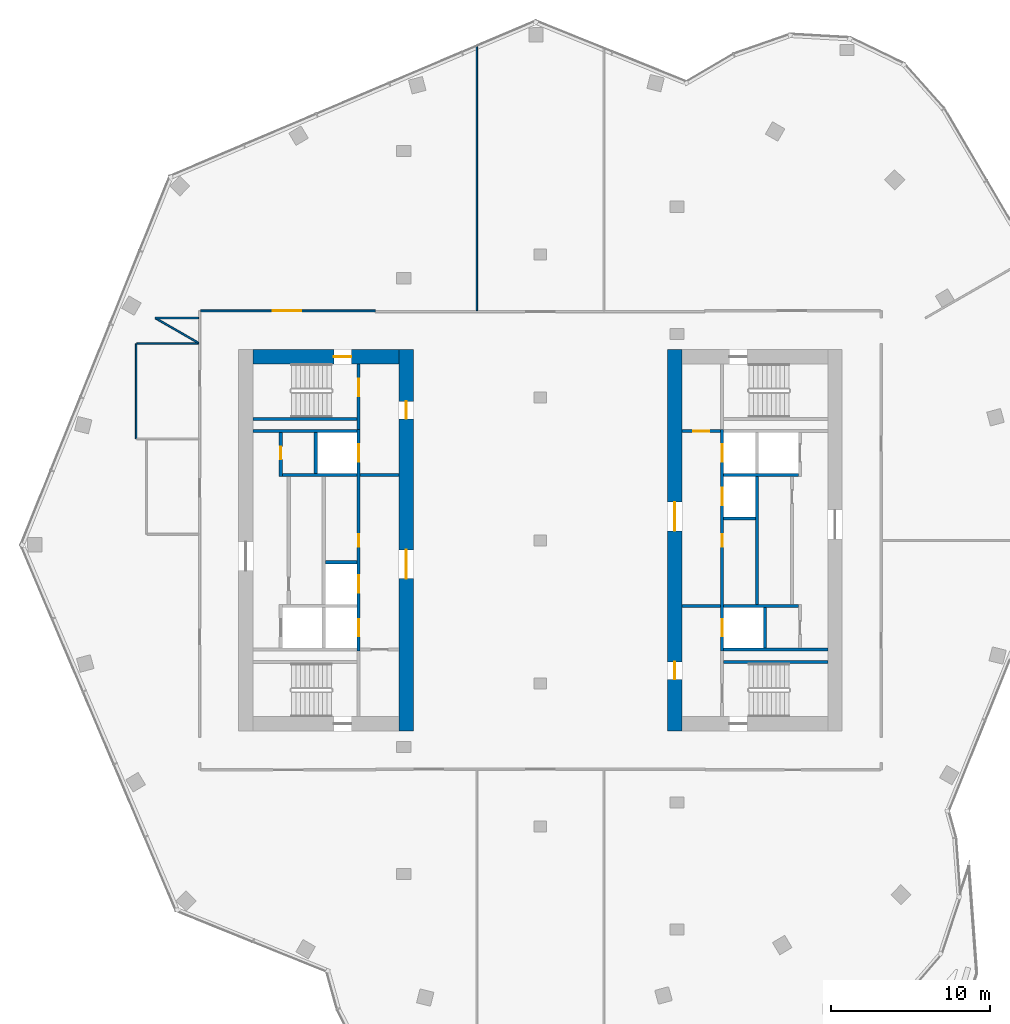
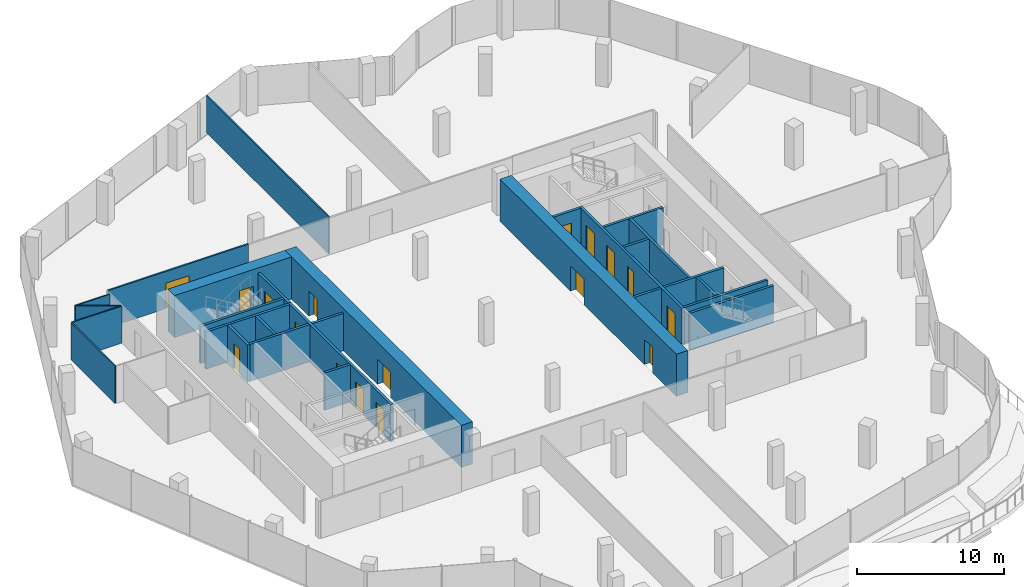
# One storey, part 13 of 16: 28 walls, 17 doors, 17 openings.
"""IFC4 building model written with IfcOpenShell, lengths in metres."""

from ifc_helpers import new_model, si_unit, direction, frame, frame_2d, origin, place, context, subcontext, project, spatial, rectangle, extrude, material, layer, layer_set, type_object, element, fill, save


model = new_model("IFC4")

# Units and contexts
model_context = context("Model", 3, precision=1e-05, world=origin(), true_north=direction((0.0, 1.0)))
body_context = subcontext(model_context, "Body", "Model", "MODEL_VIEW")
ifc_project = project(units=[si_unit("LENGTHUNIT", "METRE"), si_unit("AREAUNIT", "SQUARE_METRE"), si_unit("VOLUMEUNIT", "CUBIC_METRE"), si_unit("PLANEANGLEUNIT", "RADIAN"), si_unit("MASSUNIT", "GRAM", prefix="KILO")], contexts=[model_context])

# Site, building, storey
site_placement = place(None, origin())
site = spatial("IfcSite", under=ifc_project, at=site_placement, CompositionType="ELEMENT")
building_placement = place(site_placement, origin())
building = spatial("IfcBuilding", under=site, at=building_placement, Name="Orlundy Tower", CompositionType="ELEMENT")
storey_placement = place(building_placement, frame((0.0, 0.0, 292.89990234375)))
storey = spatial("IfcBuildingStorey", under=building, at=storey_placement, Name="L78", CompositionType="ELEMENT", Elevation=292.89990234375)

# Wall, opening, door
ifc_material_1 = material(Name="Concrete C50/60", Category="concrete")
ifc_layer_1 = layer(ifc_material_1, 0.89990234375)
ifc_layer_set_1 = layer_set([ifc_layer_1], Name="CORE WALL 900 C50/60")
wall_type_1 = type_object("IfcWallType", Name="CORE WALL 900 C50/60", PredefinedType="SHEAR", material=ifc_layer_set_1)
wall_1_placement = place(storey_placement, frame((-18.10009765625, 11.550048828125, 0.0), z_axis=(0.0, 0.0, 1.0), x_axis=(1.0, 0.0, 0.0)))
wall_1 = element("IfcWall", 1, at=wall_1_placement, inside=storey, type_object=wall_type_1, Name="Core wall W-N L78", PredefinedType="SHEAR", context=body_context, shape_type="SweptSolid", body=[
    extrude(rectangle(XDim=9.2001953125, YDim=0.89990234375, at=frame_2d((4.60009765625, 0.0))), origin(), (0.0, 0.0, 1.0), 3.5),
])
opening_1_placement = place(wall_1_placement, frame((5.10009765625, 0.0, 0.0)))
opening_1 = element("IfcOpeningElement", 2, at=opening_1_placement, cuts=wall_1, Name="Opening 60011", PredefinedType="OPENING", context=body_context, shape_type="SweptSolid", body=[
    extrude(rectangle(XDim=1.10009765625, YDim=2.10009765625, at=frame_2d((0.550048828125, 1.050048828125))), frame((0.0, 0.4599609375, 0.0), z_axis=(0.0, -1.0, 0.0), x_axis=(1.0, 0.0, 0.0)), (0.0, 0.0, 1.0), 0.919921875),
])
ifc_material_2 = material(Name="Steel door set", Category="steel")
door_type_1 = type_object("IfcDoorType", Name="Stair Door 1100x2100", OperationType="SINGLE_SWING_LEFT", PredefinedType="DOOR", material=ifc_material_2)
door_1_placement = place(opening_1_placement, origin())
door_1 = element("IfcDoor", 3, at=door_1_placement, inside=storey, type_object=door_type_1, Name="Stair door 60011", OperationType="SINGLE_SWING_RIGHT", OverallHeight=2.10009765625, OverallWidth=1.10009765625, PredefinedType="DOOR", context=body_context, shape_type="SweptSolid", body=[
    extrude(rectangle(XDim=1.10009765625, YDim=2.10009765625, at=frame_2d((0.550048828125, 1.050048828125))), frame((0.0, 0.02490234375, 0.0), z_axis=(0.0, -1.0, 0.0), x_axis=(1.0, 0.0, 0.0)), (0.0, 0.0, 1.0), 0.050048828125),
])
fill(opening_1, door_1)

# Wall, openings, doors
wall_2_placement = place(storey_placement, frame((-8.449951171875, -12.0, 0.0), z_axis=(0.0, 0.0, 1.0), x_axis=(0.0, 1.0, 0.0)))
wall_2 = element("IfcWall", 4, at=wall_2_placement, inside=storey, type_object=wall_type_1, Name="Core wall W-E L78", PredefinedType="SHEAR", context=body_context, shape_type="SweptSolid", body=[
    extrude(rectangle(XDim=24.0, YDim=0.89990234375, at=frame_2d((12.0, 0.0))), origin(), (0.0, 0.0, 1.0), 3.5),
])
opening_2_placement = place(wall_2_placement, frame((9.60009765625, 0.0, 0.0)))
opening_2 = element("IfcOpeningElement", 5, at=opening_2_placement, cuts=wall_2, Name="Opening 60008", PredefinedType="OPENING", context=body_context, shape_type="SweptSolid", body=[
    extrude(rectangle(XDim=1.800048828125, YDim=2.10009765625, at=frame_2d((0.89990234375, 1.050048828125))), frame((0.0, 0.4599609375, 0.0), z_axis=(0.0, -1.0, 0.0), x_axis=(1.0, 0.0, 0.0)), (0.0, 0.0, 1.0), 0.919921875),
])
opening_3_placement = place(wall_2_placement, frame((19.64990234375, 0.0, 0.0)))
opening_3 = element("IfcOpeningElement", 6, at=opening_3_placement, cuts=wall_2, Name="Opening 60010", PredefinedType="OPENING", context=body_context, shape_type="SweptSolid", body=[
    extrude(rectangle(XDim=1.10009765625, YDim=2.10009765625, at=frame_2d((0.550048828125, 1.050048828125))), frame((0.0, 0.4599609375, 0.0), z_axis=(0.0, -1.0, 0.0), x_axis=(1.0, 0.0, 0.0)), (0.0, 0.0, 1.0), 0.919921875),
])
ifc_material_3 = material(Name="Steel door set", Category="steel")
door_type_2 = type_object("IfcDoorType", Name="Fire-fighting Lobby Door 1100x2100", OperationType="SINGLE_SWING_LEFT", PredefinedType="DOOR", material=ifc_material_3)
door_2_placement = place(opening_3_placement, origin())
door_2 = element("IfcDoor", 7, at=door_2_placement, inside=storey, type_object=door_type_2, Name="Fire-fighting lobby door 60010", OperationType="SINGLE_SWING_RIGHT", OverallHeight=2.10009765625, OverallWidth=1.10009765625, PredefinedType="DOOR", context=body_context, shape_type="SweptSolid", body=[
    extrude(rectangle(XDim=1.10009765625, YDim=2.10009765625, at=frame_2d((0.550048828125, 1.050048828125))), frame((0.0, 0.02490234375, 0.0), z_axis=(0.0, -1.0, 0.0), x_axis=(1.0, 0.0, 0.0)), (0.0, 0.0, 1.0), 0.050048828125),
])
fill(opening_3, door_2)
ifc_material_4 = material(Name="Timber door set", Category="wood")
door_type_3 = type_object("IfcDoorType", Name="Lobby Door 1800x2100", OperationType="DOUBLE_DOOR_DOUBLE_SWING", PredefinedType="DOOR", material=ifc_material_4)
door_3_placement = place(opening_2_placement, origin())
door_3 = element("IfcDoor", 8, at=door_3_placement, inside=storey, type_object=door_type_3, Name="Lift lobby door 60008", OperationType="SINGLE_SWING_LEFT", OverallHeight=2.10009765625, OverallWidth=1.800048828125, PredefinedType="DOOR", context=body_context, shape_type="SweptSolid", body=[
    extrude(rectangle(XDim=1.800048828125, YDim=2.10009765625, at=frame_2d((0.89990234375, 1.050048828125))), frame((0.0, 0.02490234375, 0.0), z_axis=(0.0, -1.0, 0.0), x_axis=(1.0, 0.0, 0.0)), (0.0, 0.0, 1.0), 0.050048828125),
])
fill(opening_2, door_3)

wall_3_placement = place(storey_placement, frame((8.449951171875, -12.0, 0.0), z_axis=(0.0, 0.0, 1.0), x_axis=(0.0, 1.0, 0.0)))
wall_3 = element("IfcWall", 9, at=wall_3_placement, inside=storey, type_object=wall_type_1, Name="Core wall E-W L78", PredefinedType="SHEAR", context=body_context, shape_type="SweptSolid", body=[
    extrude(rectangle(XDim=24.0, YDim=0.89990234375, at=frame_2d((12.0, 0.0))), origin(), (0.0, 0.0, 1.0), 3.5),
])
opening_4_placement = place(wall_3_placement, frame((12.60009765625, 0.0, 0.0)))
opening_4 = element("IfcOpeningElement", 10, at=opening_4_placement, cuts=wall_3, Name="Opening 60057", PredefinedType="OPENING", context=body_context, shape_type="SweptSolid", body=[
    extrude(rectangle(XDim=1.800048828125, YDim=2.10009765625, at=frame_2d((0.89990234375, 1.050048828125))), frame((0.0, 0.4599609375, 0.0), z_axis=(0.0, -1.0, 0.0), x_axis=(1.0, 0.0, 0.0)), (0.0, 0.0, 1.0), 0.919921875),
])
opening_5_placement = place(wall_3_placement, frame((3.25, 0.0, 0.0)))
opening_5 = element("IfcOpeningElement", 11, at=opening_5_placement, cuts=wall_3, Name="Opening 60059", PredefinedType="OPENING", context=body_context, shape_type="SweptSolid", body=[
    extrude(rectangle(XDim=1.10009765625, YDim=2.10009765625, at=frame_2d((0.550048828125, 1.050048828125))), frame((0.0, 0.4599609375, 0.0), z_axis=(0.0, -1.0, 0.0), x_axis=(1.0, 0.0, 0.0)), (0.0, 0.0, 1.0), 0.919921875),
])
door_4_placement = place(opening_5_placement, origin())
door_4 = element("IfcDoor", 12, at=door_4_placement, inside=storey, type_object=door_type_2, Name="Fire-fighting lobby door 60059", OperationType="SINGLE_SWING_LEFT", OverallHeight=2.10009765625, OverallWidth=1.10009765625, PredefinedType="DOOR", context=body_context, shape_type="SweptSolid", body=[
    extrude(rectangle(XDim=1.10009765625, YDim=2.10009765625, at=frame_2d((0.550048828125, 1.050048828125))), frame((0.0, 0.02490234375, 0.0), z_axis=(0.0, -1.0, 0.0), x_axis=(1.0, 0.0, 0.0)), (0.0, 0.0, 1.0), 0.050048828125),
])
fill(opening_5, door_4)
door_5_placement = place(opening_4_placement, origin())
door_5 = element("IfcDoor", 13, at=door_5_placement, inside=storey, type_object=door_type_3, Name="Lift lobby door 60057", OperationType="SINGLE_SWING_RIGHT", OverallHeight=2.10009765625, OverallWidth=1.800048828125, PredefinedType="DOOR", context=body_context, shape_type="SweptSolid", body=[
    extrude(rectangle(XDim=1.800048828125, YDim=2.10009765625, at=frame_2d((0.89990234375, 1.050048828125))), frame((0.0, 0.02490234375, 0.0), z_axis=(0.0, -1.0, 0.0), x_axis=(1.0, 0.0, 0.0)), (0.0, 0.0, 1.0), 0.050048828125),
])
fill(opening_4, door_5)

# Walls
ifc_material_5 = material(Name="Gypsum board partition")
ifc_layer_2 = layer(ifc_material_5, 0.10009765625)
ifc_layer_set_2 = layer_set([ifc_layer_2], Name="Floor partition 100")
wall_type_2 = type_object("IfcWallType", Name="Floor partition 100", PredefinedType="PARTITIONING", material=ifc_layer_set_2)
wall_4_placement = place(storey_placement, frame((-24.2060546875, 13.97509765625, 0.0), z_axis=(0.0, 0.0, 1.0), x_axis=(0.866185586049, -0.49972245349, 0.0)))
element("IfcWall", 14, at=wall_4_placement, inside=storey, type_object=wall_type_2, Name="wall-int-L78-001", PredefinedType="PARTITIONING", context=body_context, shape_type="SweptSolid", body=[
    extrude(rectangle(XDim=3.077880859375, YDim=0.10009765625, at=frame_2d((1.5390625, 0.0))), origin(), (0.0, 0.0, 1.0), 3.080078125),
])
wall_5_placement = place(storey_placement, frame((-25.39794921875, 12.385986328125, 0.0), z_axis=(0.0, 0.0, 1.0), x_axis=(1.0, 0.0, 0.0)))
element("IfcWall", 15, at=wall_5_placement, inside=storey, type_object=wall_type_2, Name="wall-int-L78-008", PredefinedType="PARTITIONING", context=body_context, shape_type="SweptSolid", body=[
    extrude(rectangle(XDim=3.883056640625, YDim=0.10009765625, at=frame_2d((1.94140625, 0.0))), origin(), (0.0, 0.0, 1.0), 3.080078125),
])
wall_6_placement = place(storey_placement, frame((-24.25, 14.0, 0.0), z_axis=(0.0, 0.0, 1.0), x_axis=(1.0, 0.0, 0.0)))
element("IfcWall", 16, at=wall_6_placement, inside=storey, type_object=wall_type_2, Name="wall-int-L78-009", PredefinedType="PARTITIONING", context=body_context, shape_type="SweptSolid", body=[
    extrude(rectangle(XDim=2.738037109375, YDim=0.10009765625, at=frame_2d((1.369140625, 0.0))), origin(), (0.0, 0.0, 1.0), 3.080078125),
])
wall_7_placement = place(storey_placement, frame((-4.0, 14.462890625, 0.0), z_axis=(0.0, 0.0, 1.0), x_axis=(0.0, 1.0, 0.0)))
element("IfcWall", 17, at=wall_7_placement, inside=storey, type_object=wall_type_2, Name="wall-int-L78-020", PredefinedType="PARTITIONING", context=body_context, shape_type="SweptSolid", body=[
    extrude(rectangle(XDim=16.7021484375, YDim=0.10009765625, at=frame_2d((8.35107421875, 0.0))), origin(), (0.0, 0.0, 1.0), 3.080078125),
])
wall_8_placement = place(storey_placement, frame((-25.447998046875, 6.385009765625, 0.0), z_axis=(0.0, 0.0, 1.0), x_axis=(0.0, 1.0, 0.0)))
element("IfcWall", 18, at=wall_8_placement, inside=storey, type_object=wall_type_2, Name="wall-int-L78-024", PredefinedType="PARTITIONING", context=body_context, shape_type="SweptSolid", body=[
    extrude(rectangle(XDim=6.0009765625, YDim=0.10009765625, at=frame_2d((3.00048828125, 0.0))), origin(), (0.0, 0.0, 1.0), 3.080078125),
])

# Wall, opening, door
ifc_material_6 = material(Name="Gypsum board partition, double layer")
ifc_layer_3 = layer(ifc_material_6, 0.125)
ifc_layer_set_3 = layer_set([ifc_layer_3], Name="Floor partition 125")
wall_type_3 = type_object("IfcWallType", Name="Floor partition 125", PredefinedType="PARTITIONING", material=ifc_layer_set_3)
wall_9_placement = place(storey_placement, frame((-21.386962890625, 14.450927734375, 0.0), z_axis=(0.0, 0.0, 1.0), x_axis=(1.0, 0.0, 0.0)))
wall_9 = element("IfcWall", 19, at=wall_9_placement, inside=storey, type_object=wall_type_3, Name="wall-int-L78-011", PredefinedType="PARTITIONING", context=body_context, shape_type="SweptSolid", body=[
    extrude(rectangle(XDim=10.995849609375, YDim=0.125, at=frame_2d((5.498046875, 0.0))), origin(), (0.0, 0.0, 1.0), 3.080078125),
])
opening_6_placement = place(wall_9_placement, frame((4.53759765625, 0.0, 0.0)))
opening_6 = element("IfcOpeningElement", 20, at=opening_6_placement, cuts=wall_9, Name="Opening 60109", PredefinedType="OPENING", context=body_context, shape_type="SweptSolid", body=[
    extrude(rectangle(XDim=1.800048828125, YDim=2.10009765625, at=frame_2d((0.89990234375, 1.050048828125))), frame((0.0, 0.072509765625, 0.0), z_axis=(0.0, -1.0, 0.0), x_axis=(1.0, 0.0, 0.0)), (0.0, 0.0, 1.0), 0.14501953125),
])
ifc_material_7 = material(Name="Timber door leaf", Category="wood")
door_type_4 = type_object("IfcDoorType", Name="Floor door double 1800 FD30S", OperationType="NOTDEFINED", PredefinedType="DOOR", material=ifc_material_7)
door_6_placement = place(opening_6_placement, origin())
door_6 = element("IfcDoor", 21, at=door_6_placement, inside=storey, type_object=door_type_4, Name="Door 60109", OperationType="DOUBLE_DOOR_SINGLE_SWING", OverallHeight=2.10009765625, OverallWidth=1.800048828125, PredefinedType="DOOR", context=body_context, shape_type="SweptSolid", body=[
    extrude(rectangle(XDim=1.800048828125, YDim=2.10009765625, at=frame_2d((0.89990234375, 1.050048828125))), frame((0.0, 0.02490234375, 0.0), z_axis=(0.0, -1.0, 0.0), x_axis=(1.0, 0.0, 0.0)), (0.0, 0.0, 1.0), 0.050048828125),
])
fill(opening_6, door_6)

ifc_material_8 = material(Name="Concrete C40/50", Category="concrete")
ifc_layer_4 = layer(ifc_material_8, 0.199951171875)
ifc_layer_set_4 = layer_set([ifc_layer_4], Name="Load-bearing Shaft Wall 200")
wall_type_4 = type_object("IfcWallType", Name="Load-bearing Shaft Wall 200", PredefinedType="SOLIDWALL", material=ifc_layer_set_4)
wall_10_placement = place(storey_placement, frame((-11.43994140625, 6.97509765625, 0.0), z_axis=(0.0, 0.0, 1.0), x_axis=(0.0, 1.0, 0.0)))
wall_10 = element("IfcWall", 22, at=wall_10_placement, inside=storey, type_object=wall_type_4, Name="Shaft wall W60-stair-end-n", PredefinedType="SOLIDWALL", context=body_context, shape_type="SweptSolid", body=[
    extrude(rectangle(XDim=4.125, YDim=0.199951171875, at=frame_2d((2.0625, 0.0))), origin(), (0.0, 0.0, 1.0), 3.090087890625),
])
opening_7_placement = place(wall_10_placement, frame((2.10009765625, 0.0, 0.0)))
opening_7 = element("IfcOpeningElement", 23, at=opening_7_placement, cuts=wall_10, Name="Opening 60013", PredefinedType="OPENING", context=body_context, shape_type="SweptSolid", body=[
    extrude(rectangle(XDim=1.10009765625, YDim=2.10009765625, at=frame_2d((0.550048828125, 1.050048828125))), frame((0.0, 0.110107421875, 0.0), z_axis=(0.0, -1.0, 0.0), x_axis=(1.0, 0.0, 0.0)), (0.0, 0.0, 1.0), 0.22021484375),
])
door_7_placement = place(opening_7_placement, origin())
door_7 = element("IfcDoor", 24, at=door_7_placement, inside=storey, type_object=door_type_2, Name="Fire-fighting lobby to stair door 60013", OperationType="SINGLE_SWING_RIGHT", OverallHeight=2.10009765625, OverallWidth=1.10009765625, PredefinedType="DOOR", context=body_context, shape_type="SweptSolid", body=[
    extrude(rectangle(XDim=1.10009765625, YDim=2.10009765625, at=frame_2d((0.550048828125, 1.050048828125))), frame((0.0, 0.02490234375, 0.0), z_axis=(0.0, -1.0, 0.0), x_axis=(1.0, 0.0, 0.0)), (0.0, 0.0, 1.0), 0.050048828125),
])
fill(opening_7, door_7)

# Walls
for number, where, z_axis, x_axis, name in (
    (25, (-11.5400390625, 7.64990234375, 0.0), (0.0, 0.0, 1.0), (-1.0, 0.0, 0.0), "Shaft wall W60-stair-side-n"),
    (26, (11.5400390625, -7.64990234375, 0.0), (0.0, 0.0, 1.0), (1.0, 0.0, 0.0), "Shaft wall E60-stair-side-n"),
):
    element("IfcWall", number, at=place(storey_placement, frame(where, z_axis=z_axis, x_axis=x_axis)), inside=storey, type_object=wall_type_4, Name=name, PredefinedType="SOLIDWALL", context=body_context, shape_type="SweptSolid", body=[
        extrude(rectangle(XDim=6.56005859375, YDim=0.199951171875, at=frame_2d((3.280029296875, 0.0))), origin(), (0.0, 0.0, 1.0), 3.090087890625),
    ])
ifc_material_9 = material(Name="Gypsum board partition on steel studs", Category="steel")
ifc_layer_5 = layer(ifc_material_9, 0.199951171875)
ifc_layer_set_5 = layer_set([ifc_layer_5], Name="Partition 200")
wall_type_5 = type_object("IfcWallType", Name="Partition 200", PredefinedType="PARTITIONING", material=ifc_layer_set_5)
for number, where, z_axis, x_axis, name in (
    (27, (-8.89990234375, 4.125, 0.0), (0.0, 0.0, 1.0), (-1.0, 0.0, 0.0), "Partition wall W60-lobby-n"),
    (28, (8.89990234375, -4.125, 0.0), (0.0, 0.0, 1.0), (1.0, 0.0, 0.0), "Partition wall E60-lobby-n"),
):
    element("IfcWall", number, at=place(storey_placement, frame(where, z_axis=z_axis, x_axis=x_axis)), inside=storey, type_object=wall_type_5, Name=name, PredefinedType="PARTITIONING", context=body_context, shape_type="SweptSolid", body=[
        extrude(rectangle(XDim=2.440185546875, YDim=0.199951171875, at=frame_2d((1.22021484375, 0.0))), origin(), (0.0, 0.0, 1.0), 3.090087890625),
    ])

# Wall, opening, door
wall_11_placement = place(storey_placement, frame((8.89990234375, 6.875, 0.0), z_axis=(0.0, 0.0, 1.0), x_axis=(1.0, 0.0, 0.0)))
wall_11 = element("IfcWall", 29, at=wall_11_placement, inside=storey, type_object=wall_type_5, Name="Partition wall E60-end-s", PredefinedType="PARTITIONING", context=body_context, shape_type="SweptSolid", body=[
    extrude(rectangle(XDim=2.440185546875, YDim=0.199951171875, at=frame_2d((1.22021484375, 0.0))), origin(), (0.0, 0.0, 1.0), 3.090087890625),
])
opening_8_placement = place(wall_11_placement, frame((0.719970703125, 0.0, 0.0)))
opening_8 = element("IfcOpeningElement", 30, at=opening_8_placement, cuts=wall_11, Name="Opening 60063", PredefinedType="OPENING", context=body_context, shape_type="SweptSolid", body=[
    extrude(rectangle(XDim=1.0, YDim=2.10009765625, at=frame_2d((0.5, 1.050048828125))), frame((0.0, 0.110107421875, 0.0), z_axis=(0.0, -1.0, 0.0), x_axis=(1.0, 0.0, 0.0)), (0.0, 0.0, 1.0), 0.22021484375),
])
ifc_material_10 = material(Name="Timber door set", Category="wood")
door_type_5 = type_object("IfcDoorType", Name="Accessible Door 1000x2100", OperationType="SINGLE_SWING_LEFT", PredefinedType="DOOR", material=ifc_material_10)
door_8_placement = place(opening_8_placement, origin())
door_8 = element("IfcDoor", 31, at=door_8_placement, inside=storey, type_object=door_type_5, Name="Accessible WC door 60063", OperationType="SINGLE_SWING_RIGHT", OverallHeight=2.10009765625, OverallWidth=1.0, PredefinedType="DOOR", context=body_context, shape_type="SweptSolid", body=[
    extrude(rectangle(XDim=1.0, YDim=2.10009765625, at=frame_2d((0.5, 1.050048828125))), frame((0.0, 0.02490234375, 0.0), z_axis=(0.0, -1.0, 0.0), x_axis=(1.0, 0.0, 0.0)), (0.0, 0.0, 1.0), 0.050048828125),
])
fill(opening_8, door_8)

# Walls
ifc_material_11 = material(Name="Fire-rated blockwork shaft wall", Category="masonry")
ifc_layer_6 = layer(ifc_material_11, 0.199951171875)
ifc_layer_set_6 = layer_set([ifc_layer_6], Name="Shaft Wall 200")
wall_type_6 = type_object("IfcWallType", Name="Shaft Wall 200", PredefinedType="SOLIDWALL", material=ifc_layer_set_6)
wall_12_placement = place(storey_placement, frame((-11.5400390625, 6.875, 0.0), z_axis=(0.0, 0.0, 1.0), x_axis=(-1.0, 0.0, 0.0)))
element("IfcWall", 32, at=wall_12_placement, inside=storey, type_object=wall_type_6, Name="Shaft wall W60-zone-n", PredefinedType="SOLIDWALL", context=body_context, shape_type="SweptSolid", body=[
    extrude(rectangle(XDim=6.56005859375, YDim=0.199951171875, at=frame_2d((3.280029296875, 0.0))), origin(), (0.0, 0.0, 1.0), 3.090087890625),
])
wall_13_placement = place(storey_placement, frame((-11.5400390625, -1.375, 0.0), z_axis=(0.0, 0.0, 1.0), x_axis=(-1.0, 0.0, 0.0)))
element("IfcWall", 33, at=wall_13_placement, inside=storey, type_object=wall_type_6, Name="Shaft wall W60-cross-1.375", PredefinedType="SOLIDWALL", context=body_context, shape_type="SweptSolid", body=[
    extrude(rectangle(XDim=2.0, YDim=0.199951171875, at=frame_2d((1.0, 0.0))), origin(), (0.0, 0.0, 1.0), 3.090087890625),
])
wall_14_placement = place(storey_placement, frame((-11.5400390625, 4.125, 0.0), z_axis=(0.0, 0.0, 1.0), x_axis=(-1.0, 0.0, 0.0)))
element("IfcWall", 34, at=wall_14_placement, inside=storey, type_object=wall_type_6, Name="Shaft wall W60-cross+4.125", PredefinedType="SOLIDWALL", context=body_context, shape_type="SweptSolid", body=[
    extrude(rectangle(XDim=4.699951171875, YDim=0.199951171875, at=frame_2d((2.35009765625, 0.0))), origin(), (0.0, 0.0, 1.0), 3.090087890625),
])

# Wall, openings, doors
wall_15_placement = place(storey_placement, frame((-11.43994140625, -6.97509765625, 0.0), z_axis=(0.0, 0.0, 1.0), x_axis=(0.0, 1.0, 0.0)))
wall_15 = element("IfcWall", 35, at=wall_15_placement, inside=storey, type_object=wall_type_6, Name="Shaft wall W60-front-h", PredefinedType="SOLIDWALL", context=body_context, shape_type="SweptSolid", body=[
    extrude(rectangle(XDim=13.9501953125, YDim=0.199951171875, at=frame_2d((6.97509765625, 0.0))), origin(), (0.0, 0.0, 1.0), 3.090087890625),
])
opening_9_placement = place(wall_15_placement, frame((0.925048828125, 0.0, 0.0)))
opening_9 = element("IfcOpeningElement", 36, at=opening_9_placement, cuts=wall_15, Name="Opening 60001", PredefinedType="OPENING", context=body_context, shape_type="SweptSolid", body=[
    extrude(rectangle(XDim=1.10009765625, YDim=2.10009765625, at=frame_2d((0.550048828125, 1.050048828125))), frame((0.0, 0.110107421875, 0.0), z_axis=(0.0, -1.0, 0.0), x_axis=(1.0, 0.0, 0.0)), (0.0, 0.0, 1.0), 0.22021484375),
])
opening_10_placement = place(wall_15_placement, frame((3.675048828125, 0.0, 0.0)))
opening_10 = element("IfcOpeningElement", 37, at=opening_10_placement, cuts=wall_15, Name="Opening 60003", PredefinedType="OPENING", context=body_context, shape_type="SweptSolid", body=[
    extrude(rectangle(XDim=1.10009765625, YDim=2.10009765625, at=frame_2d((0.550048828125, 1.050048828125))), frame((0.0, 0.110107421875, 0.0), z_axis=(0.0, -1.0, 0.0), x_axis=(1.0, 0.0, 0.0)), (0.0, 0.0, 1.0), 0.22021484375),
])
opening_11_placement = place(wall_15_placement, frame((11.925048828125, 0.0, 0.0)))
opening_11 = element("IfcOpeningElement", 38, at=opening_11_placement, cuts=wall_15, Name="Opening 60004", PredefinedType="OPENING", context=body_context, shape_type="SweptSolid", body=[
    extrude(rectangle(XDim=1.10009765625, YDim=2.10009765625, at=frame_2d((0.550048828125, 1.050048828125))), frame((0.0, 0.110107421875, 0.0), z_axis=(0.0, -1.0, 0.0), x_axis=(1.0, 0.0, 0.0)), (0.0, 0.0, 1.0), 0.22021484375),
])
opening_12_placement = place(wall_15_placement, frame((6.574951171875, 0.0, 0.0)))
opening_12 = element("IfcOpeningElement", 39, at=opening_12_placement, cuts=wall_15, Name="Opening 60006", PredefinedType="OPENING", context=body_context, shape_type="SweptSolid", body=[
    extrude(rectangle(XDim=0.800048828125, YDim=2.10009765625, at=frame_2d((0.39990234375, 1.050048828125))), frame((0.0, 0.110107421875, 0.0), z_axis=(0.0, -1.0, 0.0), x_axis=(1.0, 0.0, 0.0)), (0.0, 0.0, 1.0), 0.22021484375),
])
ifc_material_12 = material(Name="Steel door set", Category="steel")
door_type_6 = type_object("IfcDoorType", Name="Landing Door 1100x2100", OperationType="DOUBLE_DOOR_SLIDING", PredefinedType="DOOR", material=ifc_material_12)
door_9_placement = place(opening_9_placement, origin())
door_9 = element("IfcDoor", 40, at=door_9_placement, inside=storey, type_object=door_type_6, Name="Lift landing door LP-22 60001", OperationType="DOUBLE_DOOR_SLIDING", OverallHeight=2.10009765625, OverallWidth=1.10009765625, PredefinedType="DOOR", context=body_context, shape_type="SweptSolid", body=[
    extrude(rectangle(XDim=1.10009765625, YDim=2.10009765625, at=frame_2d((0.550048828125, 1.050048828125))), frame((0.0, 0.02490234375, 0.0), z_axis=(0.0, -1.0, 0.0), x_axis=(1.0, 0.0, 0.0)), (0.0, 0.0, 1.0), 0.050048828125),
])
fill(opening_9, door_9)
door_10_placement = place(opening_10_placement, origin())
door_10 = element("IfcDoor", 41, at=door_10_placement, inside=storey, type_object=door_type_6, Name="Lift landing door LP-21 60003", OperationType="DOUBLE_DOOR_SLIDING", OverallHeight=2.10009765625, OverallWidth=1.10009765625, PredefinedType="DOOR", context=body_context, shape_type="SweptSolid", body=[
    extrude(rectangle(XDim=1.10009765625, YDim=2.10009765625, at=frame_2d((0.550048828125, 1.050048828125))), frame((0.0, 0.02490234375, 0.0), z_axis=(0.0, -1.0, 0.0), x_axis=(1.0, 0.0, 0.0)), (0.0, 0.0, 1.0), 0.050048828125),
])
fill(opening_10, door_10)
door_11_placement = place(opening_11_placement, origin())
door_11 = element("IfcDoor", 42, at=door_11_placement, inside=storey, type_object=door_type_6, Name="Lift landing door FL1 60004", OperationType="DOUBLE_DOOR_SLIDING", OverallHeight=2.10009765625, OverallWidth=1.10009765625, PredefinedType="DOOR", context=body_context, shape_type="SweptSolid", body=[
    extrude(rectangle(XDim=1.10009765625, YDim=2.10009765625, at=frame_2d((0.550048828125, 1.050048828125))), frame((0.0, 0.02490234375, 0.0), z_axis=(0.0, -1.0, 0.0), x_axis=(1.0, 0.0, 0.0)), (0.0, 0.0, 1.0), 0.050048828125),
])
fill(opening_11, door_11)
ifc_material_13 = material(Name="Timber door set", Category="wood")
door_type_7 = type_object("IfcDoorType", Name="Riser Door 800x2100", OperationType="SINGLE_SWING_LEFT", PredefinedType="DOOR", material=ifc_material_13)
door_12_placement = place(opening_12_placement, origin())
door_12 = element("IfcDoor", 43, at=door_12_placement, inside=storey, type_object=door_type_7, Name="Security Store door 60006", OperationType="SINGLE_SWING_LEFT", OverallHeight=2.10009765625, OverallWidth=0.800048828125, PredefinedType="DOOR", context=body_context, shape_type="SweptSolid", body=[
    extrude(rectangle(XDim=0.800048828125, YDim=2.10009765625, at=frame_2d((0.39990234375, 1.050048828125))), frame((0.0, 0.02490234375, 0.0), z_axis=(0.0, -1.0, 0.0), x_axis=(1.0, 0.0, 0.0)), (0.0, 0.0, 1.0), 0.050048828125),
])
fill(opening_12, door_12)

# Wall
wall_16_placement = place(storey_placement, frame((-14.139892578125, 4.22509765625, 0.0), z_axis=(0.0, 0.0, 1.0), x_axis=(0.0, 1.0, 0.0)))
element("IfcWall", 44, at=wall_16_placement, inside=storey, type_object=wall_type_6, Name="Shaft wall W60-mid-b", PredefinedType="SOLIDWALL", context=body_context, shape_type="SweptSolid", body=[
    extrude(rectangle(XDim=2.5498046875, YDim=0.199951171875, at=frame_2d((1.27490234375, 0.0))), origin(), (0.0, 0.0, 1.0), 3.090087890625),
])

# Wall, opening, door
wall_17_placement = place(storey_placement, frame((-16.340087890625, 4.02490234375, 0.0), z_axis=(0.0, 0.0, 1.0), x_axis=(0.0, 1.0, 0.0)))
wall_17 = element("IfcWall", 45, at=wall_17_placement, inside=storey, type_object=wall_type_6, Name="Shaft wall W60-front-o-c", PredefinedType="SOLIDWALL", context=body_context, shape_type="SweptSolid", body=[
    extrude(rectangle(XDim=2.75, YDim=0.199951171875, at=frame_2d((1.375, 0.0))), origin(), (0.0, 0.0, 1.0), 3.090087890625),
])
opening_13_placement = place(wall_17_placement, frame((1.074951171875, 0.0, 0.0)))
opening_13 = element("IfcOpeningElement", 46, at=opening_13_placement, cuts=wall_17, Name="Opening 60007", PredefinedType="OPENING", context=body_context, shape_type="SweptSolid", body=[
    extrude(rectangle(XDim=0.800048828125, YDim=2.10009765625, at=frame_2d((0.39990234375, 1.050048828125))), frame((0.0, 0.110107421875, 0.0), z_axis=(0.0, -1.0, 0.0), x_axis=(1.0, 0.0, 0.0)), (0.0, 0.0, 1.0), 0.22021484375),
])
door_13_placement = place(opening_13_placement, origin())
door_13 = element("IfcDoor", 47, at=door_13_placement, inside=storey, type_object=door_type_7, Name="Cable Riser Room door 60007", OperationType="SINGLE_SWING_LEFT", OverallHeight=2.10009765625, OverallWidth=0.800048828125, PredefinedType="DOOR", context=body_context, shape_type="SweptSolid", body=[
    extrude(rectangle(XDim=0.800048828125, YDim=2.10009765625, at=frame_2d((0.39990234375, 1.050048828125))), frame((0.0, 0.02490234375, 0.0), z_axis=(0.0, -1.0, 0.0), x_axis=(1.0, 0.0, 0.0)), (0.0, 0.0, 1.0), 0.050048828125),
])
fill(opening_13, door_13)

# Walls
wall_18_placement = place(storey_placement, frame((11.5400390625, -6.875, 0.0), z_axis=(0.0, 0.0, 1.0), x_axis=(1.0, 0.0, 0.0)))
element("IfcWall", 48, at=wall_18_placement, inside=storey, type_object=wall_type_6, Name="Shaft wall E60-zone-n", PredefinedType="SOLIDWALL", context=body_context, shape_type="SweptSolid", body=[
    extrude(rectangle(XDim=6.56005859375, YDim=0.199951171875, at=frame_2d((3.280029296875, 0.0))), origin(), (0.0, 0.0, 1.0), 3.090087890625),
])
wall_19_placement = place(storey_placement, frame((11.5400390625, 4.125, 0.0), z_axis=(0.0, 0.0, 1.0), x_axis=(1.0, 0.0, 0.0)))
element("IfcWall", 49, at=wall_19_placement, inside=storey, type_object=wall_type_6, Name="Shaft wall E60-cross-4.125", PredefinedType="SOLIDWALL", context=body_context, shape_type="SweptSolid", body=[
    extrude(rectangle(XDim=4.699951171875, YDim=0.199951171875, at=frame_2d((2.35009765625, 0.0))), origin(), (0.0, 0.0, 1.0), 3.090087890625),
])
wall_20_placement = place(storey_placement, frame((11.5400390625, 1.375, 0.0), z_axis=(0.0, 0.0, 1.0), x_axis=(1.0, 0.0, 0.0)))
element("IfcWall", 50, at=wall_20_placement, inside=storey, type_object=wall_type_6, Name="Shaft wall E60-cross-1.375", PredefinedType="SOLIDWALL", context=body_context, shape_type="SweptSolid", body=[
    extrude(rectangle(XDim=2.0, YDim=0.199951171875, at=frame_2d((1.0, 0.0))), origin(), (0.0, 0.0, 1.0), 3.090087890625),
])
wall_21_placement = place(storey_placement, frame((11.5400390625, -4.125, 0.0), z_axis=(0.0, 0.0, 1.0), x_axis=(1.0, 0.0, 0.0)))
element("IfcWall", 51, at=wall_21_placement, inside=storey, type_object=wall_type_6, Name="Shaft wall E60-cross+4.125", PredefinedType="SOLIDWALL", context=body_context, shape_type="SweptSolid", body=[
    extrude(rectangle(XDim=4.699951171875, YDim=0.199951171875, at=frame_2d((2.35009765625, 0.0))), origin(), (0.0, 0.0, 1.0), 3.090087890625),
])

# Wall, openings, doors
wall_22_placement = place(storey_placement, frame((11.43994140625, 6.97509765625, 0.0), z_axis=(0.0, 0.0, 1.0), x_axis=(0.0, -1.0, 0.0)))
wall_22 = element("IfcWall", 52, at=wall_22_placement, inside=storey, type_object=wall_type_6, Name="Shaft wall E60-front-h", PredefinedType="SOLIDWALL", context=body_context, shape_type="SweptSolid", body=[
    extrude(rectangle(XDim=13.9501953125, YDim=0.199951171875, at=frame_2d((6.97509765625, 0.0))), origin(), (0.0, 0.0, 1.0), 3.090087890625),
])
opening_14_placement = place(wall_22_placement, frame((0.925048828125, 0.0, 0.0)))
opening_14 = element("IfcOpeningElement", 53, at=opening_14_placement, cuts=wall_22, Name="Opening 60050", PredefinedType="OPENING", context=body_context, shape_type="SweptSolid", body=[
    extrude(rectangle(XDim=1.10009765625, YDim=2.10009765625, at=frame_2d((0.550048828125, 1.050048828125))), frame((0.0, 0.110107421875, 0.0), z_axis=(0.0, -1.0, 0.0), x_axis=(1.0, 0.0, 0.0)), (0.0, 0.0, 1.0), 0.22021484375),
])
opening_15_placement = place(wall_22_placement, frame((3.675048828125, 0.0, 0.0)))
opening_15 = element("IfcOpeningElement", 54, at=opening_15_placement, cuts=wall_22, Name="Opening 60052", PredefinedType="OPENING", context=body_context, shape_type="SweptSolid", body=[
    extrude(rectangle(XDim=1.10009765625, YDim=2.10009765625, at=frame_2d((0.550048828125, 1.050048828125))), frame((0.0, 0.110107421875, 0.0), z_axis=(0.0, -1.0, 0.0), x_axis=(1.0, 0.0, 0.0)), (0.0, 0.0, 1.0), 0.22021484375),
])
opening_16_placement = place(wall_22_placement, frame((11.925048828125, 0.0, 0.0)))
opening_16 = element("IfcOpeningElement", 55, at=opening_16_placement, cuts=wall_22, Name="Opening 60053", PredefinedType="OPENING", context=body_context, shape_type="SweptSolid", body=[
    extrude(rectangle(XDim=1.10009765625, YDim=2.10009765625, at=frame_2d((0.550048828125, 1.050048828125))), frame((0.0, 0.110107421875, 0.0), z_axis=(0.0, -1.0, 0.0), x_axis=(1.0, 0.0, 0.0)), (0.0, 0.0, 1.0), 0.22021484375),
])
opening_17_placement = place(wall_22_placement, frame((6.574951171875, 0.0, 0.0)))
opening_17 = element("IfcOpeningElement", 56, at=opening_17_placement, cuts=wall_22, Name="Opening 60055", PredefinedType="OPENING", context=body_context, shape_type="SweptSolid", body=[
    extrude(rectangle(XDim=0.800048828125, YDim=2.10009765625, at=frame_2d((0.39990234375, 1.050048828125))), frame((0.0, 0.110107421875, 0.0), z_axis=(0.0, -1.0, 0.0), x_axis=(1.0, 0.0, 0.0)), (0.0, 0.0, 1.0), 0.22021484375),
])
door_14_placement = place(opening_14_placement, origin())
door_14 = element("IfcDoor", 57, at=door_14_placement, inside=storey, type_object=door_type_6, Name="Lift landing door LP-24 60050", OperationType="DOUBLE_DOOR_SLIDING", OverallHeight=2.10009765625, OverallWidth=1.10009765625, PredefinedType="DOOR", context=body_context, shape_type="SweptSolid", body=[
    extrude(rectangle(XDim=1.10009765625, YDim=2.10009765625, at=frame_2d((0.550048828125, 1.050048828125))), frame((0.0, 0.02490234375, 0.0), z_axis=(0.0, -1.0, 0.0), x_axis=(1.0, 0.0, 0.0)), (0.0, 0.0, 1.0), 0.050048828125),
])
fill(opening_14, door_14)
door_15_placement = place(opening_15_placement, origin())
door_15 = element("IfcDoor", 58, at=door_15_placement, inside=storey, type_object=door_type_6, Name="Lift landing door LP-23 60052", OperationType="DOUBLE_DOOR_SLIDING", OverallHeight=2.10009765625, OverallWidth=1.10009765625, PredefinedType="DOOR", context=body_context, shape_type="SweptSolid", body=[
    extrude(rectangle(XDim=1.10009765625, YDim=2.10009765625, at=frame_2d((0.550048828125, 1.050048828125))), frame((0.0, 0.02490234375, 0.0), z_axis=(0.0, -1.0, 0.0), x_axis=(1.0, 0.0, 0.0)), (0.0, 0.0, 1.0), 0.050048828125),
])
fill(opening_15, door_15)
door_16_placement = place(opening_16_placement, origin())
door_16 = element("IfcDoor", 59, at=door_16_placement, inside=storey, type_object=door_type_6, Name="Lift landing door FL2 60053", OperationType="DOUBLE_DOOR_SLIDING", OverallHeight=2.10009765625, OverallWidth=1.10009765625, PredefinedType="DOOR", context=body_context, shape_type="SweptSolid", body=[
    extrude(rectangle(XDim=1.10009765625, YDim=2.10009765625, at=frame_2d((0.550048828125, 1.050048828125))), frame((0.0, 0.02490234375, 0.0), z_axis=(0.0, -1.0, 0.0), x_axis=(1.0, 0.0, 0.0)), (0.0, 0.0, 1.0), 0.050048828125),
])
fill(opening_16, door_16)
door_17_placement = place(opening_17_placement, origin())
door_17 = element("IfcDoor", 60, at=door_17_placement, inside=storey, type_object=door_type_7, Name="Security Store door 60055", OperationType="SINGLE_SWING_LEFT", OverallHeight=2.10009765625, OverallWidth=0.800048828125, PredefinedType="DOOR", context=body_context, shape_type="SweptSolid", body=[
    extrude(rectangle(XDim=0.800048828125, YDim=2.10009765625, at=frame_2d((0.39990234375, 1.050048828125))), frame((0.0, 0.02490234375, 0.0), z_axis=(0.0, -1.0, 0.0), x_axis=(1.0, 0.0, 0.0)), (0.0, 0.0, 1.0), 0.050048828125),
])
fill(opening_17, door_17)

# Walls
wall_23_placement = place(storey_placement, frame((13.639892578125, 4.02490234375, 0.0), z_axis=(0.0, 0.0, 1.0), x_axis=(0.0, -1.0, 0.0)))
element("IfcWall", 61, at=wall_23_placement, inside=storey, type_object=wall_type_6, Name="Shaft wall E60-mid-a.1", PredefinedType="SOLIDWALL", context=body_context, shape_type="SweptSolid", body=[
    extrude(rectangle(XDim=8.0498046875, YDim=0.199951171875, at=frame_2d((4.02490234375, 0.0))), origin(), (0.0, 0.0, 1.0), 3.090087890625),
])
wall_24_placement = place(storey_placement, frame((14.139892578125, -4.22509765625, 0.0), z_axis=(0.0, 0.0, 1.0), x_axis=(0.0, -1.0, 0.0)))
element("IfcWall", 62, at=wall_24_placement, inside=storey, type_object=wall_type_6, Name="Shaft wall E60-mid-b", PredefinedType="SOLIDWALL", context=body_context, shape_type="SweptSolid", body=[
    extrude(rectangle(XDim=2.5498046875, YDim=0.199951171875, at=frame_2d((1.27490234375, 0.0))), origin(), (0.0, 0.0, 1.0), 3.090087890625),
])

save(model, "model.ifc")
